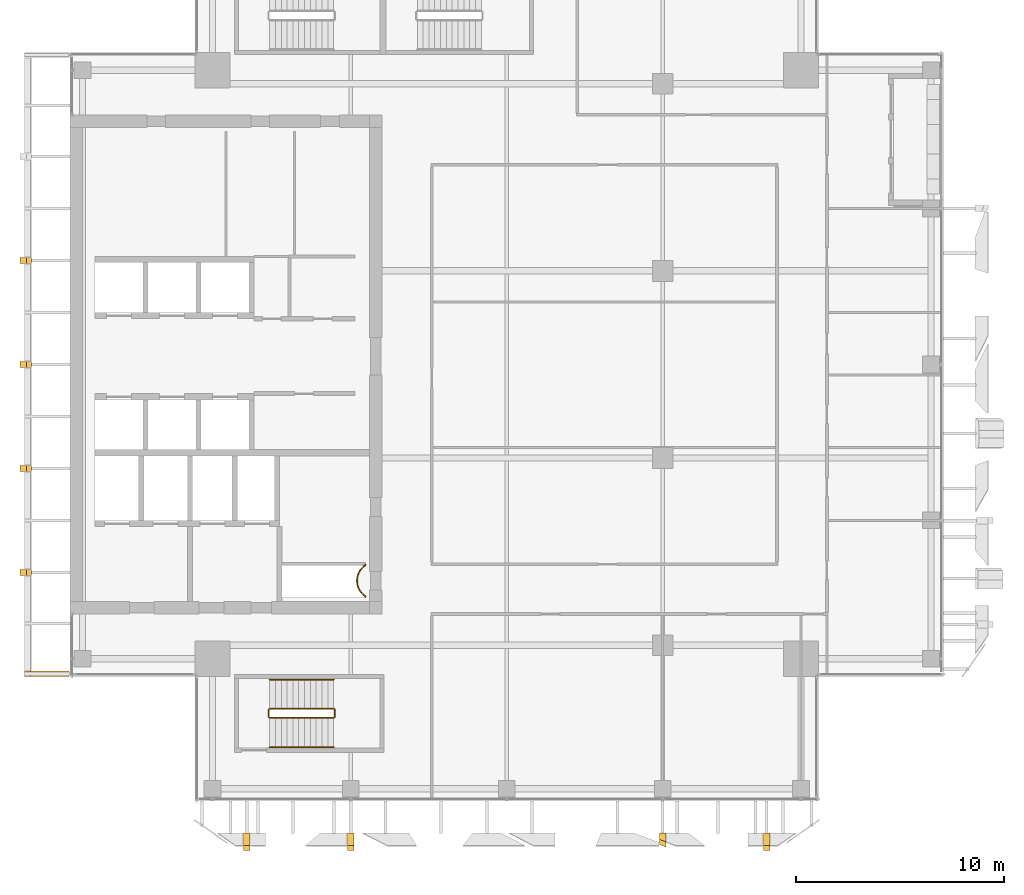
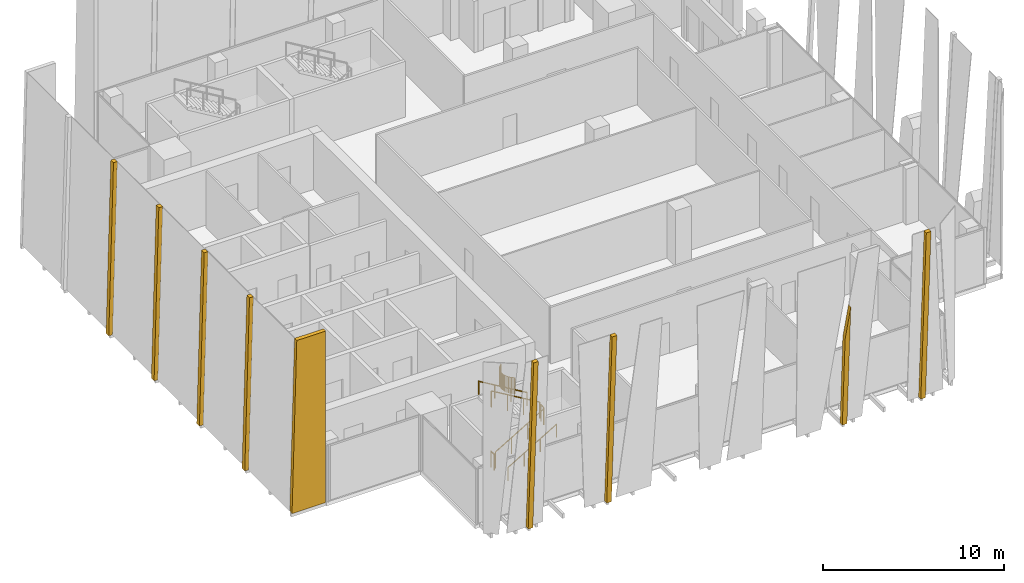
# One storey, part 30 of 33: 9 coverings, 7 railings.
"""IFC4 building model written with IfcOpenShell, lengths in metres."""

import ifcopenshell
import ifcopenshell.guid

model = None  # the IFC model being written
_history = None  # IfcOwnerHistory: only IFC2X3 demands one
_inside = {}  # id of a spatial element -> (the spatial element, [elements in it])
_under = {}  # id of a project, library or spatial element -> (it, [spatial elements below it])
_declared = {}  # id of a project -> (the project, [libraries it declares])
_typed = {}  # id of a type object -> (the type object, [elements of that type])
_made_of = {}  # id of a material, layer set ... -> (it, [elements and type objects made of it])


def new_model(schema):
    """Start an empty IFC model of exactly this schema.

    Asked for "IFC4X3", IfcOpenShell would pick the latest addendum, in which some entities
    have other attributes; the version numbers below select the first issue.
    IFC2X3 requires an IfcOwnerHistory on every rooted entity: one is made here for all.
    """
    global model, _history
    if schema == "IFC4X3":
        model = ifcopenshell.file(schema_version=(4, 3, 0, 0))
    else:
        model = ifcopenshell.file(schema=schema)
    _inside.clear()
    _under.clear()
    _declared.clear()
    _typed.clear()
    _made_of.clear()
    _history = None
    if model.schema == "IFC2X3":
        org = make("IfcOrganization", Name="unknown")
        user = make(
            "IfcPersonAndOrganization",
            ThePerson=make("IfcPerson", FamilyName="unknown"),
            TheOrganization=org,
        )
        app = make(
            "IfcApplication",
            ApplicationDeveloper=org,
            Version="unknown",
            ApplicationFullName="unknown",
            ApplicationIdentifier="unknown",
        )
        _history = make(
            "IfcOwnerHistory",
            OwningUser=user,
            OwningApplication=app,
            ChangeAction="ADDED",
            CreationDate=0,
        )
    return model


def make(cls, **values):
    """One entity of the class cls with the attributes given. An attribute that is None is left unset."""
    return model.create_entity(
        cls, **{name: value for name, value in values.items() if value is not None}
    )


def rooted(cls, **values):
    """An entity with a GlobalId (a new one), such as an element, a storey or a relation."""
    return make(cls, GlobalId=ifcopenshell.guid.new(), OwnerHistory=_history, **values)


def si_unit(unit_type, name, prefix=None):
    """IfcSIUnit, for example si_unit("LENGTHUNIT", "METRE", prefix="MILLI")."""
    return make("IfcSIUnit", UnitType=unit_type, Prefix=prefix, Name=name)


def assignment(units):
    """IfcUnitAssignment: the units of a project."""
    return None if units is None else make("IfcUnitAssignment", Units=units)


def point(xyz):
    """IfcCartesianPoint."""
    return None if xyz is None else make("IfcCartesianPoint", Coordinates=xyz)


def direction(xyz):
    """IfcDirection."""
    return None if xyz is None else make("IfcDirection", DirectionRatios=xyz)


def frame(location, z_axis=None, x_axis=None):
    """IfcAxis2Placement3D, a coordinate frame: its origin and axes. An axis left out is left unset."""
    return make(
        "IfcAxis2Placement3D",
        Location=point(location),
        Axis=direction(z_axis),
        RefDirection=direction(x_axis),
    )


def frame_2d(location, x_axis=None):
    """IfcAxis2Placement2D, a coordinate frame in the plane: its origin and x axis."""
    return make(
        "IfcAxis2Placement2D", Location=point(location), RefDirection=direction(x_axis)
    )


def origin():
    """The frame at (0, 0, 0) with its axes left unset."""
    return frame((0.0, 0.0, 0.0))


def origin_2d():
    """The frame at (0, 0) in the plane with its x axis left unset."""
    return frame_2d((0.0, 0.0))


def place(relative_to, where):
    """IfcLocalPlacement: puts the frame where relative to a parent placement (None: the world)."""
    return make(
        "IfcLocalPlacement", PlacementRelTo=relative_to, RelativePlacement=where
    )


def context(
    kind, dimensions, precision=None, world=None, true_north=None, identifier=None
):
    """IfcGeometricRepresentationContext, for example the 3D "Model" context."""
    return make(
        "IfcGeometricRepresentationContext",
        ContextIdentifier=identifier,
        ContextType=kind,
        CoordinateSpaceDimension=dimensions,
        Precision=precision,
        WorldCoordinateSystem=world,
        TrueNorth=true_north,
    )


def subcontext(parent, identifier, kind, view, scale=None):
    """IfcGeometricRepresentationSubContext, for example "Body" below "Model"."""
    return make(
        "IfcGeometricRepresentationSubContext",
        ContextIdentifier=identifier,
        ContextType=kind,
        ParentContext=parent,
        TargetScale=scale,
        TargetView=view,
    )


def project(units=None, contexts=None):
    """IfcProject with its units and contexts."""
    return rooted(
        "IfcProject",
        Name="project",
        RepresentationContexts=contexts,
        UnitsInContext=assignment(units),
    )


def spatial(cls, under=None, at=None, **own):
    """A site, building, storey or space (cls), placed at a placement, below another one or the project."""
    s = rooted(cls, ObjectPlacement=at, **own)
    if under is not None:
        _under.setdefault(under.id(), (under, []))[1].append(s)
    return s


def polyline(points):
    """IfcPolyline through the points."""
    return make("IfcPolyline", Points=[point(p) for p in points])


def profile(cls, at=None, kind="AREA", **sizes):
    """A parametric profile (cls). Its sizes go by their IFC names, for example OverallWidth=200.0."""
    return make(cls, ProfileType=kind, Position=at, **sizes)


def circle(**sizes):
    """IfcCircleProfileDef."""
    return profile("IfcCircleProfileDef", **sizes)


def outline(outer, holes=None, kind="AREA"):
    """IfcArbitraryClosedProfileDef: a profile drawn as a closed curve; with holes, ...WithVoids."""
    if holes is None:
        return make("IfcArbitraryClosedProfileDef", ProfileType=kind, OuterCurve=outer)
    return make(
        "IfcArbitraryProfileDefWithVoids",
        ProfileType=kind,
        OuterCurve=outer,
        InnerCurves=holes,
    )


def extrude(swept, where, along, depth):
    """IfcExtrudedAreaSolid: the profile swept, set in the frame where, extruded along a direction by depth."""
    return make(
        "IfcExtrudedAreaSolid",
        SweptArea=swept,
        Position=where,
        ExtrudedDirection=direction(along),
        Depth=depth,
    )


def shape(context_of_items, identifier, shape_type, items):
    """IfcShapeRepresentation: the items that make up one representation, for example the "Body"."""
    return make(
        "IfcShapeRepresentation",
        ContextOfItems=context_of_items,
        RepresentationIdentifier=identifier,
        RepresentationType=shape_type,
        Items=items,
    )


def source(mapping_origin, context_of_items, identifier, shape_type, items):
    """IfcRepresentationMap: a shape defined once, which mapped items show again and again."""
    return make(
        "IfcRepresentationMap",
        MappingOrigin=mapping_origin,
        MappedRepresentation=shape(context_of_items, identifier, shape_type, items),
    )


def transform(
    local_origin,
    x_axis=None,
    y_axis=None,
    z_axis=None,
    scale=None,
    scale2=None,
    scale3=None,
    uniform=True,
):
    """IfcCartesianTransformationOperator3D, or its non-uniform kind. x_axis, y_axis, z_axis: its Axis1, 2, 3."""
    if uniform:
        return make(
            "IfcCartesianTransformationOperator3D",
            Axis1=direction(x_axis),
            Axis2=direction(y_axis),
            LocalOrigin=point(local_origin),
            Scale=scale,
            Axis3=direction(z_axis),
        )
    return make(
        "IfcCartesianTransformationOperator3DnonUniform",
        Axis1=direction(x_axis),
        Axis2=direction(y_axis),
        LocalOrigin=point(local_origin),
        Scale=scale,
        Axis3=direction(z_axis),
        Scale2=scale2,
        Scale3=scale3,
    )


def mapped(mapping_source, mapping_target):
    """IfcMappedItem: shows the shape of a source again, moved by a transform."""
    return make(
        "IfcMappedItem", MappingSource=mapping_source, MappingTarget=mapping_target
    )


def material(Name=None, Category=None):
    """IfcMaterial."""
    return make("IfcMaterial", Name=Name, Category=Category)


def layer(
    of_material, thickness, ventilated=None, Name=None, Category=None, Priority=None
):
    """IfcMaterialLayer: one layer of a wall or slab, of a material (None: an air gap)."""
    return make(
        "IfcMaterialLayer",
        Material=of_material,
        LayerThickness=thickness,
        IsVentilated=ventilated,
        Name=Name,
        Category=Category,
        Priority=Priority,
    )


def layer_set(layers, Name=None):
    """IfcMaterialLayerSet."""
    return make("IfcMaterialLayerSet", MaterialLayers=layers, LayerSetName=Name)


def made_of(thing, what):
    """Note that an element or type object is made of a material, layer set ...; save() writes the relation."""
    if what is not None:
        _made_of.setdefault(what.id(), (what, []))[1].append(thing)
    return thing


def type_object(cls, material=None, **own):
    """A type object (cls), such as IfcWallType, which elements share."""
    return made_of(rooted(cls, **own), material)


def element(
    cls,
    number,
    at=None,
    inside=None,
    cuts=None,
    type_object=None,
    material=None,
    context=None,
    identifier="Body",
    shape_type=None,
    held_by="IfcProductDefinitionShape",
    body=None,
    shapes=None,
    **own,
):
    """One element of the class cls, such as IfcWall. Its Tag is "e" and its number.

    at: its placement. inside: the storey or other place that contains it. cuts: it is an
    opening in that element (IfcRelVoidsElement). A single representation is given by context,
    identifier, shape_type and body (its items); several are given by shapes. held_by: the class
    of the entity that holds the representations. save() writes the other relations.
    """
    e = rooted(cls, Tag="e%d" % number, ObjectPlacement=at, **own)
    if body is not None:
        shapes = [shape(context, identifier, shape_type, body)]
    if shapes is not None:
        e.Representation = make(held_by, Representations=shapes)
    if inside is not None:
        _inside.setdefault(inside.id(), (inside, []))[1].append(e)
    if cuts is not None:
        rooted(
            "IfcRelVoidsElement", RelatingBuildingElement=cuts, RelatedOpeningElement=e
        )
    if type_object is not None:
        _typed.setdefault(type_object.id(), (type_object, []))[1].append(e)
    return made_of(e, material)


def aggregate(whole, parts):
    """IfcRelAggregates: a whole, such as a stair, and the parts it consists of."""
    return rooted("IfcRelAggregates", RelatingObject=whole, RelatedObjects=parts)


def save(model, path):
    """Write the relations noted so far, then the file.

    IfcRelAggregates (storeys below a building ...), IfcRelContainedInSpatialStructure (elements
    in a storey), IfcRelDefinesByType, IfcRelAssociatesMaterial and IfcRelDeclares: one each for
    every whole, place, type object, material and project.
    """
    for whole, parts in _under.values():
        aggregate(whole, parts)
    for where, things in _inside.values():
        rooted(
            "IfcRelContainedInSpatialStructure",
            RelatedElements=things,
            RelatingStructure=where,
        )
    for kind, things in _typed.values():
        rooted("IfcRelDefinesByType", RelatedObjects=things, RelatingType=kind)
    for what, things in _made_of.values():
        rooted("IfcRelAssociatesMaterial", RelatedObjects=things, RelatingMaterial=what)
    for by, libraries in _declared.values():
        rooted("IfcRelDeclares", RelatingContext=by, RelatedDefinitions=libraries)
    model.write(path)


model = new_model("IFC4")

# Units and contexts
model_context = context("Model", 3, precision=1e-05, world=origin(), true_north=direction((0.0, 1.0)))
body_context = subcontext(model_context, "Body", "Model", "MODEL_VIEW")
ifc_project = project(units=[si_unit("LENGTHUNIT", "METRE"), si_unit("AREAUNIT", "SQUARE_METRE"), si_unit("VOLUMEUNIT", "CUBIC_METRE"), si_unit("PLANEANGLEUNIT", "RADIAN"), si_unit("MASSUNIT", "GRAM", prefix="KILO")], contexts=[model_context])

# Site, building, storey
site_placement = place(None, origin())
site = spatial("IfcSite", under=ifc_project, at=site_placement, CompositionType="ELEMENT")
building_placement = place(site_placement, origin())
building = spatial("IfcBuilding", under=site, at=building_placement, Name="Khomas Fold Tower", CompositionType="ELEMENT")
storey_placement = place(building_placement, frame((0.0, 0.0, 294.199951171875)))
storey = spatial("IfcBuildingStorey", under=building, at=storey_placement, Name="L66", CompositionType="ELEMENT", Elevation=294.199951171875)

# Coverings
ifc_material_1 = material(Name="Natural stone cladding", Category="masonry")
ifc_layer = layer(ifc_material_1, 0.25)
ifc_layer_set = layer_set([ifc_layer], Name="Natural stone cladding")
covering_type = type_object("IfcCoveringType", Name="SK-Karibib marble stone mullion", PredefinedType="CLADDING", material=ifc_layer_set)
for number, where, z_axis, x_axis, name in (
    (1, (14.35009765625, 4.47119140625, 0.0), (0.0, 0.99862882819, 0.052349436554), (0.0, -0.052349436554, 0.99862882819), "OUTER SKIN mullion L66 SM099-2"),
    (2, (19.35009765625, 4.47119140625, 0.0), (0.0, 0.99862882819, 0.052349436554), (0.0, -0.052349436554, 0.99862882819), "OUTER SKIN mullion L66 SM100-7"),
):
    element("IfcCovering", number, at=place(storey_placement, frame(where, z_axis=z_axis, x_axis=x_axis)), inside=storey, type_object=covering_type, Name=name, PredefinedType="CLADDING", context=body_context, shape_type="SweptSolid", body=[
        extrude(outline(polyline([(0.0, 0.0), (11.565907674683308, 0.0), (11.565907674683308, 0.2998046875), (0.0, 0.2998046875), (0.0, 0.0)])), origin(), (0.0, 0.0, -1.0), 0.25),
    ])
covering_1_placement = place(storey_placement, frame((34.35009765625, 4.47119140625, 0.0), z_axis=(0.000135277628, 0.998629030817, 0.052345396261), x_axis=(-9.15e-10, -0.05234539674, 0.998629039954)))
element("IfcCovering", 3, at=covering_1_placement, inside=storey, type_object=covering_type, Name="OUTER SKIN mullion L66 SM103-10", PredefinedType="CLADDING", context=body_context, shape_type="SweptSolid", body=[
    extrude(outline(polyline([(0.0, 0.0), (5.9940553311551446, 6.776263578034403e-21), (8.114642598478548, 0.29980469767065626), (-2.7441512714380613e-10, 0.29980468475678157), (0.0, 0.0)])), origin(), (0.0, 0.0, -1.0), 0.25),
])
covering_2_placement = place(storey_placement, frame((39.35009765625, 4.47119140625, 0.0), z_axis=(0.0, 0.99862882819, 0.052349436554), x_axis=(0.0, -0.052349436554, 0.99862882819)))
element("IfcCovering", 4, at=covering_2_placement, inside=storey, type_object=covering_type, Name="OUTER SKIN mullion L66 SM104-14", PredefinedType="CLADDING", context=body_context, shape_type="SweptSolid", body=[
    extrude(outline(polyline([(0.0, 0.0), (11.565907674683308, 0.0), (11.565907674683308, 0.2998046875), (0.0, 0.2998046875), (0.0, 0.0)])), origin(), (0.0, 0.0, -1.0), 0.25),
])
for number, where, z_axis, x_axis, name in (
    (5, (3.59619140625, 16.85009765625, 0.006591796875), (-0.999657230839, 0.0, 0.026180543005), (0.0, 1.0, 0.0), "OUTER SKIN mullion L66 W2"),
    (6, (3.59619140625, 21.85009765625, 0.006591796875), (-0.999657230839, 0.0, 0.026180543005), (0.0, 1.0, 0.0), "OUTER SKIN mullion L66 W4"),
    (7, (3.59619140625, 26.85009765625, 0.006591796875), (-0.999657230839, 0.0, 0.026180543005), (0.0, 1.0, 0.0), "OUTER SKIN mullion L66 W6"),
    (8, (3.59619140625, 31.85009765625, 0.006591796875), (-0.999657230839, 0.0, 0.026180543005), (0.0, 1.0, 0.0), "OUTER SKIN mullion L66 W8"),
):
    element("IfcCovering", number, at=place(storey_placement, frame(where, z_axis=z_axis, x_axis=x_axis)), inside=storey, type_object=covering_type, Name=name, PredefinedType="CLADDING", context=body_context, shape_type="SweptSolid", body=[
        extrude(outline(polyline([(0.0, 0.0), (0.2998046875, 0.0), (0.2998046875, -11.554009186164079), (0.0, -11.554009186164079), (0.0, 0.0)])), origin(), (0.0, 0.0, -1.0), 0.25),
    ])
covering_3_placement = place(storey_placement, frame((5.949951171875, 12.0, 11.550048828125), z_axis=(0.0, -1.0, 0.0), x_axis=(-1.0, 0.0, 0.0)))
element("IfcCovering", 9, at=covering_3_placement, inside=storey, type_object=covering_type, Name="OUTER SKIN return L66 W1", PredefinedType="CLADDING", context=body_context, shape_type="SweptSolid", body=[
    extrude(outline(polyline([(0.0, 0.0), (1.841552734375, 0.0), (2.14404296875, 11.550048828125), (0.0, 11.550048828125), (0.0, 0.0)])), origin(), (0.0, 0.0, -1.0), 0.25),
])

# Railings
ifc_material_2 = material(Name="Steel balustrade", Category="steel")
railing_type_1 = type_object("IfcRailingType", Name="Stair guard", PredefinedType="GUARDRAIL", material=ifc_material_2)
shared_shape_1 = source(origin(), body_context, "Body", "SweptSolid", [
    extrude(circle(Radius=0.02392578125, at=origin_2d()), frame((0.0, 0.0, 1.076171875), z_axis=(0.0, 1.0, 0.0), x_axis=(-1.0, 0.0, 0.0)), (0.0, 0.0, 1.0), 0.349853515625),
    extrude(circle(Radius=0.02099609375, at=origin_2d()), origin(), (0.0, 0.0, 1.0), 1.052001953125),
    extrude(circle(Radius=0.02099609375, at=origin_2d()), frame((0.0, 0.349853515625, 0.0)), (0.0, 0.0, 1.0), 1.052001953125),
])
for number, where, name in (
    (10, (18.72998046875, 10.050048828125, 2.0), "L66 ST2 stair guard 2"),
    (11, (15.550048828125, 10.050048828125, 0.0), "L66 ST2 stair guard 4"),
):
    element("IfcRailing", number, at=place(storey_placement, frame(where)), inside=storey, type_object=railing_type_1, Name=name, PredefinedType="GUARDRAIL", context=body_context, shape_type="MappedRepresentation", body=[
        mapped(shared_shape_1, transform((0.0, 0.0, 0.0))),
    ])
shared_shape_2 = source(origin(), body_context, "Body", "SweptSolid", [
    extrude(circle(Radius=0.02392578125, at=origin_2d()), frame((0.0, 0.0, 1.076171875), z_axis=(0.859290745958, 0.0, 0.51148745235), x_axis=(0.0, 1.0, 0.0)), (0.0, 0.0, 1.0), 3.584228515625),
    extrude(circle(Radius=0.02099609375, at=origin_2d()), origin(), (0.0, 0.0, 1.0), 1.052001953125),
    extrude(circle(Radius=0.02099609375, at=origin_2d()), frame((1.026611328125, 0.0, 0.611083984375)), (0.0, 0.0, 1.0), 1.052001953125),
    extrude(circle(Radius=0.02099609375, at=origin_2d()), frame((2.05322265625, 0.0, 1.22216796875)), (0.0, 0.0, 1.0), 1.052001953125),
    extrude(circle(Radius=0.02099609375, at=origin_2d()), frame((3.079833984375, 0.0, 1.833251953125)), (0.0, 0.0, 1.0), 1.052001953125),
])
railing_1_placement = place(storey_placement, frame((15.60009765625, 10.0, 0.166748046875)))
element("IfcRailing", 12, at=railing_1_placement, inside=storey, type_object=railing_type_1, Name="L66 ST2 stair guard 1", PredefinedType="GUARDRAIL", context=body_context, shape_type="MappedRepresentation", body=[
    mapped(shared_shape_2, transform((0.0, 0.0, 0.0))),
])
shared_shape_3 = source(origin(), body_context, "Body", "SweptSolid", [
    extrude(circle(Radius=0.02392578125, at=origin_2d()), frame((0.0, 0.0, 1.076171875), z_axis=(-0.859290745958, 0.0, 0.51148745235), x_axis=(0.0, -1.0, 0.0)), (0.0, 0.0, 1.0), 3.584228515625),
    extrude(circle(Radius=0.02099609375, at=origin_2d()), origin(), (0.0, 0.0, 1.0), 1.052001953125),
    extrude(circle(Radius=0.02099609375, at=origin_2d()), frame((-1.026611328125, 0.0, 0.611083984375)), (0.0, 0.0, 1.0), 1.052001953125),
    extrude(circle(Radius=0.02099609375, at=origin_2d()), frame((-2.05322265625, 0.0, 1.22216796875)), (0.0, 0.0, 1.0), 1.052001953125),
    extrude(circle(Radius=0.02099609375, at=origin_2d()), frame((-3.079833984375, 0.0, 1.833251953125)), (0.0, 0.0, 1.0), 1.052001953125),
])
railing_2_placement = place(storey_placement, frame((18.679931640625, 10.449951171875, 2.166748046875)))
element("IfcRailing", 13, at=railing_2_placement, inside=storey, type_object=railing_type_1, Name="L66 ST2 stair guard 3", PredefinedType="GUARDRAIL", context=body_context, shape_type="MappedRepresentation", body=[
    mapped(shared_shape_3, transform((0.0, 0.0, 0.0))),
])
ifc_material_3 = material(Name="Steel handrail", Category="steel")
railing_type_2 = type_object("IfcRailingType", Name="Stair handrail", PredefinedType="HANDRAIL", material=ifc_material_3)
shared_shape_4 = source(origin(), body_context, "Body", "SweptSolid", [
    extrude(circle(Radius=0.02392578125, at=origin_2d()), frame((0.0, 0.0, 0.8759765625), z_axis=(0.859290745958, 0.0, 0.51148745235), x_axis=(0.0, 1.0, 0.0)), (0.0, 0.0, 1.0), 3.584228515625),
    extrude(circle(Radius=0.02099609375, at=origin_2d()), origin(), (0.0, 0.0, 1.0), 0.851806640625),
    extrude(circle(Radius=0.02099609375, at=origin_2d()), frame((1.026611328125, 0.0, 0.611083984375)), (0.0, 0.0, 1.0), 0.851806640625),
    extrude(circle(Radius=0.02099609375, at=origin_2d()), frame((2.05322265625, 0.0, 1.22216796875)), (0.0, 0.0, 1.0), 0.851806640625),
    extrude(circle(Radius=0.02099609375, at=origin_2d()), frame((3.079833984375, 0.0, 1.833251953125)), (0.0, 0.0, 1.0), 0.851806640625),
])
railing_3_placement = place(storey_placement, frame((15.60009765625, 8.60009765625, 0.166748046875)))
element("IfcRailing", 14, at=railing_3_placement, inside=storey, type_object=railing_type_2, Name="L66 ST2 stair handrail 1", PredefinedType="HANDRAIL", context=body_context, shape_type="MappedRepresentation", body=[
    mapped(shared_shape_4, transform((0.0, 0.0, 0.0))),
])
shared_shape_5 = source(origin(), body_context, "Body", "SweptSolid", [
    extrude(circle(Radius=0.02392578125, at=origin_2d()), frame((0.0, 0.0, 0.8759765625), z_axis=(-0.859290745958, 0.0, 0.51148745235), x_axis=(0.0, -1.0, 0.0)), (0.0, 0.0, 1.0), 3.584228515625),
    extrude(circle(Radius=0.02099609375, at=origin_2d()), origin(), (0.0, 0.0, 1.0), 0.851806640625),
    extrude(circle(Radius=0.02099609375, at=origin_2d()), frame((-1.026611328125, 0.0, 0.611083984375)), (0.0, 0.0, 1.0), 0.851806640625),
    extrude(circle(Radius=0.02099609375, at=origin_2d()), frame((-2.05322265625, 0.0, 1.22216796875)), (0.0, 0.0, 1.0), 0.851806640625),
    extrude(circle(Radius=0.02099609375, at=origin_2d()), frame((-3.079833984375, 0.0, 1.833251953125)), (0.0, 0.0, 1.0), 0.851806640625),
])
railing_4_placement = place(storey_placement, frame((18.679931640625, 11.85009765625, 2.166748046875)))
element("IfcRailing", 15, at=railing_4_placement, inside=storey, type_object=railing_type_2, Name="L66 ST2 stair handrail 2", PredefinedType="HANDRAIL", context=body_context, shape_type="MappedRepresentation", body=[
    mapped(shared_shape_5, transform((0.0, 0.0, 0.0))),
])
ifc_material_4 = material(Name="Steel balustrade", Category="steel")
railing_type_3 = type_object("IfcRailingType", Name="Shaft guard", PredefinedType="GUARDRAIL", material=ifc_material_4)
shared_shape_6 = source(origin(), body_context, "Body", "SweptSolid", [
    extrude(circle(Radius=0.02490234375, at=origin_2d()), frame((0.0, 0.0, 1.0751953125), z_axis=(0.0, -1.0, 0.0), x_axis=(1.0, 0.0, 0.0)), (0.0, 0.0, 1.0), 0.034912109375),
    extrude(circle(Radius=0.02490234375, at=origin_2d()), frame((0.0, -0.034912109375, 1.0751953125), z_axis=(-0.802970227885, -0.596019138224, 0.0), x_axis=(0.596019138224, -0.802970227885, 0.0)), (0.0, 0.0, 1.0), 0.08837890625),
    extrude(circle(Radius=0.02490234375, at=origin_2d()), frame((-0.071044921875, -0.087646484375, 1.0751953125), z_axis=(-0.739563952942, -0.673086294251, 0.0), x_axis=(0.673086294251, -0.739563952942, 0.0)), (0.0, 0.0, 1.0), 0.088134765625),
    extrude(circle(Radius=0.02490234375, at=origin_2d()), frame((-0.13623046875, -0.14697265625, 1.0751953125), z_axis=(-0.671709119666, -0.740814996175, 0.0), x_axis=(0.740814996175, -0.671709119666, 0.0)), (0.0, 0.0, 1.0), 0.08837890625),
    extrude(circle(Radius=0.02490234375, at=origin_2d()), frame((-0.195556640625, -0.21240234375, 1.0751953125), z_axis=(-0.597341843489, -0.801986734315, 0.0), x_axis=(0.801986734315, -0.597341843489, 0.0)), (0.0, 0.0, 1.0), 0.08837890625),
    extrude(circle(Radius=0.02490234375, at=origin_2d()), frame((-0.248291015625, -0.283203125, 1.0751953125), z_axis=(-0.514495755428, -0.857492925713, 0.0), x_axis=(0.857492925713, -0.514495755428, 0.0)), (0.0, 0.0, 1.0), 0.08837890625),
    extrude(circle(Radius=0.02490234375, at=origin_2d()), frame((-0.293701171875, -0.35888671875, 1.0751953125), z_axis=(-0.427256721383, -0.904130352346, 0.0), x_axis=(0.904130352346, -0.427256721383, 0.0)), (0.0, 0.0, 1.0), 0.088623046875),
    extrude(circle(Radius=0.02490234375, at=origin_2d()), frame((-0.33154296875, -0.43896484375, 1.0751953125), z_axis=(-0.335282981086, -0.942117467514, 0.0), x_axis=(0.942117467514, -0.335282981086, 0.0)), (0.0, 0.0, 1.0), 0.088134765625),
    extrude(circle(Radius=0.02490234375, at=origin_2d()), frame((-0.361083984375, -0.52197265625, 1.0751953125), z_axis=(-0.243185799972, -0.969979724887, 0.0), x_axis=(0.969979724887, -0.243185799972, 0.0)), (0.0, 0.0, 1.0), 0.08837890625),
    extrude(circle(Radius=0.02490234375, at=origin_2d()), frame((-0.382568359375, -0.607666015625, 1.0751953125), z_axis=(-0.149150785005, -0.988814463553, 0.0), x_axis=(0.988814463553, -0.149150785005, 0.0)), (0.0, 0.0, 1.0), 0.08837890625),
    extrude(circle(Radius=0.02490234375, at=origin_2d()), frame((-0.395751953125, -0.695068359375, 1.0751953125), z_axis=(-0.047039284441, -0.99889304018, 0.0), x_axis=(0.99889304018, -0.047039284441, 0.0)), (0.0, 0.0, 1.0), 0.088134765625),
    extrude(circle(Radius=0.02490234375, at=origin_2d()), frame((-0.39990234375, -0.783203125, 1.0751953125), z_axis=(0.046909628002, -0.998899137451, 0.0), x_axis=(0.998899137451, 0.046909628002, 0.0)), (0.0, 0.0, 1.0), 0.08837890625),
    extrude(circle(Radius=0.02490234375, at=origin_2d()), frame((-0.395751953125, -0.87158203125, 1.0751953125), z_axis=(0.149150785005, -0.988814463553, 0.0), x_axis=(0.988814463553, 0.149150785005, 0.0)), (0.0, 0.0, 1.0), 0.08837890625),
    extrude(circle(Radius=0.02490234375, at=origin_2d()), frame((-0.382568359375, -0.958984375, 1.0751953125), z_axis=(0.243185799972, -0.969979724887, 0.0), x_axis=(0.969979724887, 0.243185799972, 0.0)), (0.0, 0.0, 1.0), 0.08837890625),
    extrude(circle(Radius=0.02490234375, at=origin_2d()), frame((-0.361083984375, -1.044677734375, 1.0751953125), z_axis=(0.335282981086, -0.942117467514, 0.0), x_axis=(0.942117467514, 0.335282981086, 0.0)), (0.0, 0.0, 1.0), 0.088134765625),
    extrude(circle(Radius=0.02490234375, at=origin_2d()), frame((-0.33154296875, -1.127685546875, 1.0751953125), z_axis=(0.428323905606, -0.903625271828, 0.0), x_axis=(0.903625271828, 0.428323905606, 0.0)), (0.0, 0.0, 1.0), 0.08837890625),
    extrude(circle(Radius=0.02490234375, at=origin_2d()), frame((-0.293701171875, -1.20751953125, 1.0751953125), z_axis=(0.514495755428, -0.857492925713, 0.0), x_axis=(0.857492925713, 0.514495755428, 0.0)), (0.0, 0.0, 1.0), 0.08837890625),
    extrude(circle(Radius=0.02490234375, at=origin_2d()), frame((-0.248291015625, -1.283203125, 1.0751953125), z_axis=(0.596019138224, -0.802970227885, 0.0), x_axis=(0.802970227885, 0.596019138224, 0.0)), (0.0, 0.0, 1.0), 0.08837890625),
    extrude(circle(Radius=0.02490234375, at=origin_2d()), frame((-0.195556640625, -1.354248046875, 1.0751953125), z_axis=(0.671709119666, -0.740814996175, 0.0), x_axis=(0.740814996175, 0.671709119666, 0.0)), (0.0, 0.0, 1.0), 0.08837890625),
    extrude(circle(Radius=0.02490234375, at=origin_2d()), frame((-0.13623046875, -1.419677734375, 1.0751953125), z_axis=(0.739563952942, -0.673086294251, 0.0), x_axis=(0.673086294251, 0.739563952942, 0.0)), (0.0, 0.0, 1.0), 0.088134765625),
    extrude(circle(Radius=0.02490234375, at=origin_2d()), frame((-0.071044921875, -1.47900390625, 1.0751953125), z_axis=(0.804291006819, -0.594235623595, 0.0), x_axis=(0.594235623595, 0.804291006819, 0.0)), (0.0, 0.0, 1.0), 0.08837890625),
    extrude(circle(Radius=0.02490234375, at=origin_2d()), frame((0.0, -1.531494140625, 1.0751953125), z_axis=(0.0, -1.0, 0.0), x_axis=(1.0, 0.0, 0.0)), (0.0, 0.0, 1.0), 0.03515625),
    extrude(circle(Radius=0.02001953125, at=origin_2d()), origin(), (0.0, 0.0, 1.0), 1.050048828125),
    extrude(circle(Radius=0.02001953125, at=origin_2d()), frame((0.0, -0.034912109375, 0.0)), (0.0, 0.0, 1.0), 1.050048828125),
    extrude(circle(Radius=0.02001953125, at=origin_2d()), frame((-0.071044921875, -0.087646484375, 0.0)), (0.0, 0.0, 1.0), 1.050048828125),
    extrude(circle(Radius=0.02001953125, at=origin_2d()), frame((-0.13623046875, -0.14697265625, 0.0)), (0.0, 0.0, 1.0), 1.050048828125),
    extrude(circle(Radius=0.02001953125, at=origin_2d()), frame((-0.195556640625, -0.21240234375, 0.0)), (0.0, 0.0, 1.0), 1.050048828125),
    extrude(circle(Radius=0.02001953125, at=origin_2d()), frame((-0.248291015625, -0.283203125, 0.0)), (0.0, 0.0, 1.0), 1.050048828125),
    extrude(circle(Radius=0.02001953125, at=origin_2d()), frame((-0.293701171875, -0.35888671875, 0.0)), (0.0, 0.0, 1.0), 1.050048828125),
    extrude(circle(Radius=0.02001953125, at=origin_2d()), frame((-0.33154296875, -0.43896484375, 0.0)), (0.0, 0.0, 1.0), 1.050048828125),
    extrude(circle(Radius=0.02001953125, at=origin_2d()), frame((-0.361083984375, -0.52197265625, 0.0)), (0.0, 0.0, 1.0), 1.050048828125),
    extrude(circle(Radius=0.02001953125, at=origin_2d()), frame((-0.382568359375, -0.607666015625, 0.0)), (0.0, 0.0, 1.0), 1.050048828125),
    extrude(circle(Radius=0.02001953125, at=origin_2d()), frame((-0.395751953125, -0.695068359375, 0.0)), (0.0, 0.0, 1.0), 1.050048828125),
    extrude(circle(Radius=0.02001953125, at=origin_2d()), frame((-0.39990234375, -0.783203125, 0.0)), (0.0, 0.0, 1.0), 1.050048828125),
    extrude(circle(Radius=0.02001953125, at=origin_2d()), frame((-0.395751953125, -0.87158203125, 0.0)), (0.0, 0.0, 1.0), 1.050048828125),
    extrude(circle(Radius=0.02001953125, at=origin_2d()), frame((-0.382568359375, -0.958984375, 0.0)), (0.0, 0.0, 1.0), 1.050048828125),
    extrude(circle(Radius=0.02001953125, at=origin_2d()), frame((-0.361083984375, -1.044677734375, 0.0)), (0.0, 0.0, 1.0), 1.050048828125),
    extrude(circle(Radius=0.02001953125, at=origin_2d()), frame((-0.33154296875, -1.127685546875, 0.0)), (0.0, 0.0, 1.0), 1.050048828125),
    extrude(circle(Radius=0.02001953125, at=origin_2d()), frame((-0.293701171875, -1.20751953125, 0.0)), (0.0, 0.0, 1.0), 1.050048828125),
    extrude(circle(Radius=0.02001953125, at=origin_2d()), frame((-0.248291015625, -1.283203125, 0.0)), (0.0, 0.0, 1.0), 1.050048828125),
    extrude(circle(Radius=0.02001953125, at=origin_2d()), frame((-0.195556640625, -1.354248046875, 0.0)), (0.0, 0.0, 1.0), 1.050048828125),
    extrude(circle(Radius=0.02001953125, at=origin_2d()), frame((-0.13623046875, -1.419677734375, 0.0)), (0.0, 0.0, 1.0), 1.050048828125),
    extrude(circle(Radius=0.02001953125, at=origin_2d()), frame((-0.071044921875, -1.47900390625, 0.0)), (0.0, 0.0, 1.0), 1.050048828125),
    extrude(circle(Radius=0.02001953125, at=origin_2d()), frame((0.0, -1.531494140625, 0.0)), (0.0, 0.0, 1.0), 1.050048828125),
    extrude(circle(Radius=0.02001953125, at=origin_2d()), frame((0.0, -1.566650390625, 0.0)), (0.0, 0.0, 1.0), 1.050048828125),
])
railing_5_placement = place(storey_placement, frame((20.199951171875, 17.38330078125, 0.0)))
element("IfcRailing", 16, at=railing_5_placement, inside=storey, type_object=railing_type_3, Name="Shaft guard L66 1", PredefinedType="GUARDRAIL", context=body_context, shape_type="MappedRepresentation", body=[
    mapped(shared_shape_6, transform((0.0, 0.0, 0.0))),
])

save(model, "model.ifc")
